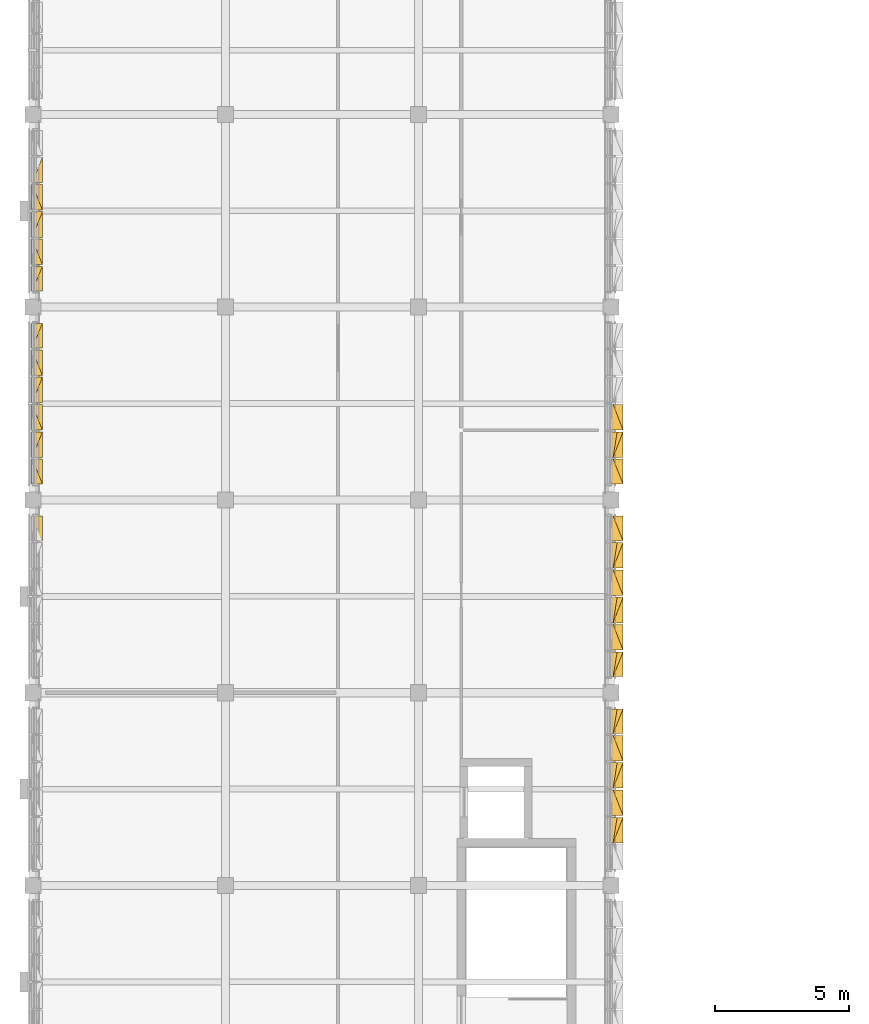
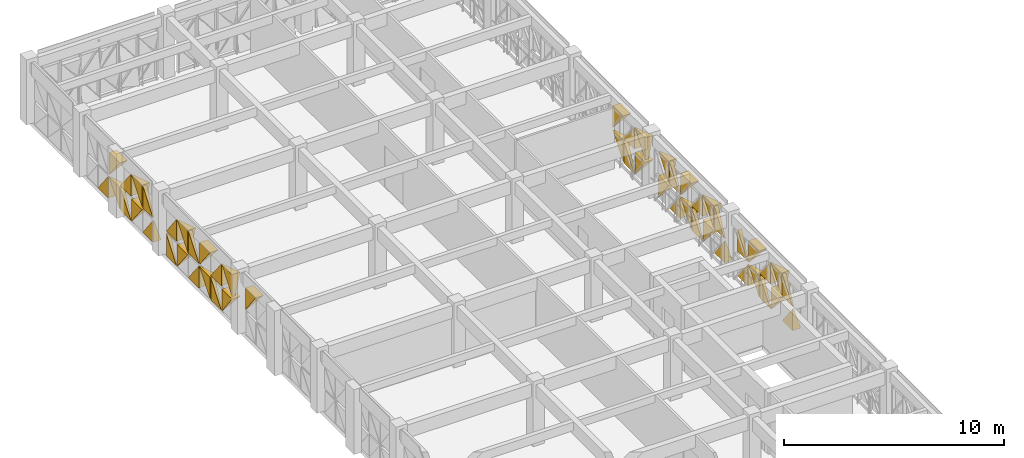
# One storey, part 72 of 74: 50 coverings.
"""IFC4 building model written with IfcOpenShell, lengths in metres."""

from ifc_helpers import new_model, si_unit, direction, frame, origin, place, context, subcontext, project, spatial, polygons, material, layer, layer_set, type_object, element, save


model = new_model("IFC4")

# Units and contexts
model_context = context("Model", 3, precision=1e-05, world=origin(), true_north=direction((0.0, 1.0)))
body_context = subcontext(model_context, "Body", "Model", "MODEL_VIEW")
ifc_project = project(units=[si_unit("LENGTHUNIT", "METRE"), si_unit("AREAUNIT", "SQUARE_METRE"), si_unit("VOLUMEUNIT", "CUBIC_METRE"), si_unit("PLANEANGLEUNIT", "RADIAN"), si_unit("MASSUNIT", "GRAM", prefix="KILO")], contexts=[model_context])

# Site, building, storey
site_placement = place(None, origin())
site = spatial("IfcSite", under=ifc_project, at=site_placement, CompositionType="ELEMENT")
building_placement = place(site_placement, origin())
building = spatial("IfcBuilding", under=site, at=building_placement, Name="Alvorim Cloister Faculty of Sciences", CompositionType="ELEMENT")
storey_placement = place(building_placement, frame((0.0, 0.0, 15.75)))
storey = spatial("IfcBuildingStorey", under=building, at=storey_placement, Name="L04", CompositionType="ELEMENT", Elevation=15.75)

# Coverings
ifc_material = material(Name="Perforated Bronze Alloy Sheet", Category="metal")
ifc_layer = layer(ifc_material, 0.0380859375)
ifc_layer_set = layer_set([ifc_layer], Name="Perforated Bronze Alloy Sheet")
covering_type = type_object("IfcCoveringType", Name="COV-TRI-BRZ", PredefinedType="CLADDING", material=ifc_layer_set)
covering_1_placement = place(storey_placement, frame((-0.044921875, 90.87255859375, 1.4951171875), z_axis=(0.0, 0.0, 1.0), x_axis=(0.0, 1.0, 0.0)))
element("IfcCovering", 1, at=covering_1_placement, inside=storey, type_object=covering_type, Name="Diagonal Solid Metal Triangle TRI-TR", PredefinedType="CLADDING", context=body_context, shape_type="Tessellation", body=[
    polygons([(0.922607421875, 0.0260009765625, 0.002), (0.922607421875, 0.0260009765625, 1.21484375), (0.002, 0.0260009765625, 1.21484375), (0.922607421875, -0.03, 0.002), (0.922607421875, -0.4, 1.21484375), (0.002, -0.4, 1.21484375)], [[[1, 3, 2]], [[4, 5, 6]], [[1, 2, 5, 4]], [[2, 3, 6, 5]], [[3, 1, 4, 6]]], closed=True),
])
covering_2_placement = place(storey_placement, frame((-0.044921875, 93.0048828125, 0.139892578125), z_axis=(0.0, 0.0, 1.0), x_axis=(0.0, 1.0, 0.0)))
element("IfcCovering", 2, at=covering_2_placement, inside=storey, type_object=covering_type, Name="Diagonal Solid Metal Triangle TRI-TR", PredefinedType="CLADDING", context=body_context, shape_type="Tessellation", body=[
    polygons([(0.922607421875, 0.0260009765625, 0.002), (0.922607421875, 0.0260009765625, 1.215087890625), (0.002, 0.0260009765625, 1.215087890625), (0.922607421875, -0.03, 0.002), (0.922607421875, -0.4, 1.215087890625), (0.002, -0.4, 1.215087890625)], [[[1, 3, 2]], [[4, 5, 6]], [[1, 2, 5, 4]], [[2, 3, 6, 5]], [[3, 1, 4, 6]]], closed=True),
])
covering_3_placement = place(storey_placement, frame((-0.044921875, 93.0048828125, 1.4951171875), z_axis=(0.0, 0.0, 1.0), x_axis=(0.0, 1.0, 0.0)))
element("IfcCovering", 3, at=covering_3_placement, inside=storey, type_object=covering_type, Name="Diagonal Solid Metal Triangle TRI-TL", PredefinedType="CLADDING", context=body_context, shape_type="Tessellation", body=[
    polygons([(0.920607421875, 0.0260009765625, 1.21484375), (0.0, 0.0260009765625, 1.21484375), (0.0, 0.0260009765625, 0.002), (0.920607421875, -0.03, 1.21484375), (0.0, -0.4, 1.21484375), (0.0, -0.13999999999999999, 0.002)], [[[1, 3, 2]], [[4, 5, 6]], [[1, 2, 5, 4]], [[2, 3, 6, 5]], [[3, 1, 4, 6]]], closed=True),
])
covering_4_placement = place(storey_placement, frame((-0.044921875, 93.992431640625, 0.139892578125), z_axis=(0.0, 0.0, 1.0), x_axis=(0.0, 1.0, 0.0)))
element("IfcCovering", 4, at=covering_4_placement, inside=storey, type_object=covering_type, Name="Diagonal Solid Metal Triangle TRI-BR", PredefinedType="CLADDING", context=body_context, shape_type="Tessellation", body=[
    polygons([(0.002, 0.0260009765625, 0.0), (0.955078125, 0.0260009765625, 0.0), (0.955078125, 0.0260009765625, 1.213087890625), (0.002, -0.03, 0.0), (0.955078125, -0.4, 0.0), (0.955078125, -0.18000000000000002, 1.213087890625)], [[[1, 3, 2]], [[4, 5, 6]], [[1, 2, 5, 4]], [[2, 3, 6, 5]], [[3, 1, 4, 6]]], closed=True),
])
covering_5_placement = place(storey_placement, frame((-0.044921875, 93.992431640625, 1.4951171875), z_axis=(0.0, 0.0, 1.0), x_axis=(0.0, 1.0, 0.0)))
element("IfcCovering", 5, at=covering_5_placement, inside=storey, type_object=covering_type, Name="Diagonal Solid Metal Triangle TRI-BL", PredefinedType="CLADDING", context=body_context, shape_type="Tessellation", body=[
    polygons([(0.0, 0.0260009765625, 0.0), (0.953078125, 0.0260009765625, 0.0), (0.0, 0.0260009765625, 1.21284375), (0.0, -0.4, 0.0), (0.953078125, -0.4, 0.0), (0.0, -0.03, 1.21284375)], [[[1, 3, 2]], [[4, 5, 6]], [[1, 2, 5, 4]], [[2, 3, 6, 5]], [[3, 1, 4, 6]]], closed=True),
])
covering_6_placement = place(storey_placement, frame((-0.044921875, 95.012451171875, 0.139892578125), z_axis=(0.0, 0.0, 1.0), x_axis=(0.0, 1.0, 0.0)))
element("IfcCovering", 6, at=covering_6_placement, inside=storey, type_object=covering_type, Name="Diagonal Solid Metal Triangle TRI-TL", PredefinedType="CLADDING", context=body_context, shape_type="Tessellation", body=[
    polygons([(0.953078125, 0.0260009765625, 1.215087890625), (0.0, 0.0260009765625, 1.215087890625), (0.0, 0.0260009765625, 0.002), (0.953078125, -0.03, 1.215087890625), (0.0, -0.4, 1.215087890625), (0.0, -0.13999999999999999, 0.002)], [[[1, 3, 2]], [[4, 5, 6]], [[1, 2, 5, 4]], [[2, 3, 6, 5]], [[3, 1, 4, 6]]], closed=True),
])
covering_7_placement = place(storey_placement, frame((-0.044921875, 95.012451171875, 1.4951171875), z_axis=(0.0, 0.0, 1.0), x_axis=(0.0, 1.0, 0.0)))
element("IfcCovering", 7, at=covering_7_placement, inside=storey, type_object=covering_type, Name="Diagonal Solid Metal Triangle TRI-TR", PredefinedType="CLADDING", context=body_context, shape_type="Tessellation", body=[
    polygons([(0.955078125, 0.0260009765625, 0.002), (0.955078125, 0.0260009765625, 1.21484375), (0.002, 0.0260009765625, 1.21484375), (0.955078125, -0.03, 0.002), (0.955078125, -0.4, 1.21484375), (0.002, -0.4, 1.21484375)], [[[1, 3, 2]], [[4, 5, 6]], [[1, 2, 5, 4]], [[2, 3, 6, 5]], [[3, 1, 4, 6]]], closed=True),
])
covering_8_placement = place(storey_placement, frame((-0.044921875, 96.032470703125, 0.139892578125), z_axis=(0.0, 0.0, 1.0), x_axis=(0.0, 1.0, 0.0)))
element("IfcCovering", 8, at=covering_8_placement, inside=storey, type_object=covering_type, Name="Diagonal Solid Metal Triangle TRI-BL", PredefinedType="CLADDING", context=body_context, shape_type="Tessellation", body=[
    polygons([(0.0, 0.0260009765625, 0.0), (0.953078125, 0.0260009765625, 0.0), (0.0, 0.0260009765625, 1.213087890625), (0.0, -0.4, 0.0), (0.953078125, -0.4, 0.0), (0.0, -0.03, 1.213087890625)], [[[1, 3, 2]], [[4, 5, 6]], [[1, 2, 5, 4]], [[2, 3, 6, 5]], [[3, 1, 4, 6]]], closed=True),
])
covering_9_placement = place(storey_placement, frame((-0.044921875, 96.032470703125, 1.4951171875), z_axis=(0.0, 0.0, 1.0), x_axis=(0.0, 1.0, 0.0)))
element("IfcCovering", 9, at=covering_9_placement, inside=storey, type_object=covering_type, Name="Diagonal Solid Metal Triangle TRI-BR", PredefinedType="CLADDING", context=body_context, shape_type="Tessellation", body=[
    polygons([(0.002, 0.0260009765625, 0.0), (0.955078125, 0.0260009765625, 0.0), (0.955078125, 0.0260009765625, 1.21284375), (0.002, -0.03, 0.0), (0.955078125, -0.4, 0.0), (0.955078125, -0.18000000000000002, 1.21284375)], [[[1, 3, 2]], [[4, 5, 6]], [[1, 2, 5, 4]], [[2, 3, 6, 5]], [[3, 1, 4, 6]]], closed=True),
])
covering_10_placement = place(storey_placement, frame((-0.044921875, 97.052490234375, 0.139892578125), z_axis=(0.0, 0.0, 1.0), x_axis=(0.0, 1.0, 0.0)))
element("IfcCovering", 10, at=covering_10_placement, inside=storey, type_object=covering_type, Name="Diagonal Solid Metal Triangle TRI-TR", PredefinedType="CLADDING", context=body_context, shape_type="Tessellation", body=[
    polygons([(0.955078125, 0.0260009765625, 0.002), (0.955078125, 0.0260009765625, 1.215087890625), (0.002, 0.0260009765625, 1.215087890625), (0.955078125, -0.03, 0.002), (0.955078125, -0.4, 1.215087890625), (0.002, -0.4, 1.215087890625)], [[[1, 3, 2]], [[4, 5, 6]], [[1, 2, 5, 4]], [[2, 3, 6, 5]], [[3, 1, 4, 6]]], closed=True),
])
covering_11_placement = place(storey_placement, frame((-0.044921875, 97.052490234375, 1.4951171875), z_axis=(0.0, 0.0, 1.0), x_axis=(0.0, 1.0, 0.0)))
element("IfcCovering", 11, at=covering_11_placement, inside=storey, type_object=covering_type, Name="Diagonal Solid Metal Triangle TRI-TL", PredefinedType="CLADDING", context=body_context, shape_type="Tessellation", body=[
    polygons([(0.953078125, 0.0260009765625, 1.21484375), (0.0, 0.0260009765625, 1.21484375), (0.0, 0.0260009765625, 0.002), (0.953078125, -0.03, 1.21484375), (0.0, -0.4, 1.21484375), (0.0, -0.13999999999999999, 0.002)], [[[1, 3, 2]], [[4, 5, 6]], [[1, 2, 5, 4]], [[2, 3, 6, 5]], [[3, 1, 4, 6]]], closed=True),
])
covering_12_placement = place(storey_placement, frame((-0.044921875, 98.072509765625, 0.139892578125), z_axis=(0.0, 0.0, 1.0), x_axis=(0.0, 1.0, 0.0)))
element("IfcCovering", 12, at=covering_12_placement, inside=storey, type_object=covering_type, Name="Diagonal Solid Metal Triangle TRI-BR", PredefinedType="CLADDING", context=body_context, shape_type="Tessellation", body=[
    polygons([(0.002, 0.0260009765625, 0.0), (0.922607421875, 0.0260009765625, 0.0), (0.922607421875, 0.0260009765625, 1.213087890625), (0.002, -0.03, 0.0), (0.922607421875, -0.4, 0.0), (0.922607421875, -0.18000000000000002, 1.213087890625)], [[[1, 3, 2]], [[4, 5, 6]], [[1, 2, 5, 4]], [[2, 3, 6, 5]], [[3, 1, 4, 6]]], closed=True),
])
covering_13_placement = place(storey_placement, frame((-0.044921875, 98.072509765625, 1.4951171875), z_axis=(0.0, 0.0, 1.0), x_axis=(0.0, 1.0, 0.0)))
element("IfcCovering", 13, at=covering_13_placement, inside=storey, type_object=covering_type, Name="Diagonal Solid Metal Triangle TRI-BL", PredefinedType="CLADDING", context=body_context, shape_type="Tessellation", body=[
    polygons([(0.0, 0.0260009765625, 0.0), (0.920607421875, 0.0260009765625, 0.0), (0.0, 0.0260009765625, 1.21284375), (0.0, -0.4, 0.0), (0.920607421875, -0.4, 0.0), (0.0, -0.03, 1.21284375)], [[[1, 3, 2]], [[4, 5, 6]], [[1, 2, 5, 4]], [[2, 3, 6, 5]], [[3, 1, 4, 6]]], closed=True),
])
covering_14_placement = place(storey_placement, frame((-0.044921875, 100.205078125, 0.139892578125), z_axis=(0.0, 0.0, 1.0), x_axis=(0.0, 1.0, 0.0)))
element("IfcCovering", 14, at=covering_14_placement, inside=storey, type_object=covering_type, Name="Diagonal Solid Metal Triangle TRI-BL", PredefinedType="CLADDING", context=body_context, shape_type="Tessellation", body=[
    polygons([(0.0, 0.0260009765625, 0.0), (0.920607421875, 0.0260009765625, 0.0), (0.0, 0.0260009765625, 1.213087890625), (0.0, -0.4, 0.0), (0.920607421875, -0.4, 0.0), (0.0, -0.03, 1.213087890625)], [[[1, 3, 2]], [[4, 5, 6]], [[1, 2, 5, 4]], [[2, 3, 6, 5]], [[3, 1, 4, 6]]], closed=True),
])
covering_15_placement = place(storey_placement, frame((-0.044921875, 100.205078125, 1.4951171875), z_axis=(0.0, 0.0, 1.0), x_axis=(0.0, 1.0, 0.0)))
element("IfcCovering", 15, at=covering_15_placement, inside=storey, type_object=covering_type, Name="Diagonal Solid Metal Triangle TRI-BR", PredefinedType="CLADDING", context=body_context, shape_type="Tessellation", body=[
    polygons([(0.002, 0.0260009765625, 0.0), (0.922607421875, 0.0260009765625, 0.0), (0.922607421875, 0.0260009765625, 1.21284375), (0.002, -0.03, 0.0), (0.922607421875, -0.4, 0.0), (0.922607421875, -0.18000000000000002, 1.21284375)], [[[1, 3, 2]], [[4, 5, 6]], [[1, 2, 5, 4]], [[2, 3, 6, 5]], [[3, 1, 4, 6]]], closed=True),
])
covering_16_placement = place(storey_placement, frame((-0.044921875, 101.1923828125, 0.139892578125), z_axis=(0.0, 0.0, 1.0), x_axis=(0.0, 1.0, 0.0)))
element("IfcCovering", 16, at=covering_16_placement, inside=storey, type_object=covering_type, Name="Diagonal Solid Metal Triangle TRI-TR", PredefinedType="CLADDING", context=body_context, shape_type="Tessellation", body=[
    polygons([(0.955078125, 0.0260009765625, 0.002), (0.955078125, 0.0260009765625, 1.215087890625), (0.002, 0.0260009765625, 1.215087890625), (0.955078125, -0.03, 0.002), (0.955078125, -0.4, 1.215087890625), (0.002, -0.4, 1.215087890625)], [[[1, 3, 2]], [[4, 5, 6]], [[1, 2, 5, 4]], [[2, 3, 6, 5]], [[3, 1, 4, 6]]], closed=True),
])
covering_17_placement = place(storey_placement, frame((-0.044921875, 101.1923828125, 1.4951171875), z_axis=(0.0, 0.0, 1.0), x_axis=(0.0, 1.0, 0.0)))
element("IfcCovering", 17, at=covering_17_placement, inside=storey, type_object=covering_type, Name="Diagonal Solid Metal Triangle TRI-TL", PredefinedType="CLADDING", context=body_context, shape_type="Tessellation", body=[
    polygons([(0.953078125, 0.0260009765625, 1.21484375), (0.0, 0.0260009765625, 1.21484375), (0.0, 0.0260009765625, 0.002), (0.953078125, -0.03, 1.21484375), (0.0, -0.4, 1.21484375), (0.0, -0.13999999999999999, 0.002)], [[[1, 3, 2]], [[4, 5, 6]], [[1, 2, 5, 4]], [[2, 3, 6, 5]], [[3, 1, 4, 6]]], closed=True),
])
covering_18_placement = place(storey_placement, frame((-0.044921875, 102.21240234375, 0.139892578125), z_axis=(0.0, 0.0, 1.0), x_axis=(0.0, 1.0, 0.0)))
element("IfcCovering", 18, at=covering_18_placement, inside=storey, type_object=covering_type, Name="Diagonal Solid Metal Triangle TRI-BR", PredefinedType="CLADDING", context=body_context, shape_type="Tessellation", body=[
    polygons([(0.002, 0.0260009765625, 0.0), (0.955078125, 0.0260009765625, 0.0), (0.955078125, 0.0260009765625, 1.213087890625), (0.002, -0.03, 0.0), (0.955078125, -0.4, 0.0), (0.955078125, -0.18000000000000002, 1.213087890625)], [[[1, 3, 2]], [[4, 5, 6]], [[1, 2, 5, 4]], [[2, 3, 6, 5]], [[3, 1, 4, 6]]], closed=True),
])
covering_19_placement = place(storey_placement, frame((-0.044921875, 102.21240234375, 1.4951171875), z_axis=(0.0, 0.0, 1.0), x_axis=(0.0, 1.0, 0.0)))
element("IfcCovering", 19, at=covering_19_placement, inside=storey, type_object=covering_type, Name="Diagonal Solid Metal Triangle TRI-BL", PredefinedType="CLADDING", context=body_context, shape_type="Tessellation", body=[
    polygons([(0.0, 0.0260009765625, 0.0), (0.953078125, 0.0260009765625, 0.0), (0.0, 0.0260009765625, 1.21284375), (0.0, -0.4, 0.0), (0.953078125, -0.4, 0.0), (0.0, -0.03, 1.21284375)], [[[1, 3, 2]], [[4, 5, 6]], [[1, 2, 5, 4]], [[2, 3, 6, 5]], [[3, 1, 4, 6]]], closed=True),
])
covering_20_placement = place(storey_placement, frame((-0.044921875, 103.232421875, 0.139892578125), z_axis=(0.0, 0.0, 1.0), x_axis=(0.0, 1.0, 0.0)))
element("IfcCovering", 20, at=covering_20_placement, inside=storey, type_object=covering_type, Name="Diagonal Solid Metal Triangle TRI-TL", PredefinedType="CLADDING", context=body_context, shape_type="Tessellation", body=[
    polygons([(0.953078125, 0.0260009765625, 1.215087890625), (0.0, 0.0260009765625, 1.215087890625), (0.0, 0.0260009765625, 0.002), (0.953078125, -0.03, 1.215087890625), (0.0, -0.4, 1.215087890625), (0.0, -0.13999999999999999, 0.002)], [[[1, 3, 2]], [[4, 5, 6]], [[1, 2, 5, 4]], [[2, 3, 6, 5]], [[3, 1, 4, 6]]], closed=True),
])
covering_21_placement = place(storey_placement, frame((-0.044921875, 103.232421875, 1.4951171875), z_axis=(0.0, 0.0, 1.0), x_axis=(0.0, 1.0, 0.0)))
element("IfcCovering", 21, at=covering_21_placement, inside=storey, type_object=covering_type, Name="Diagonal Solid Metal Triangle TRI-TR", PredefinedType="CLADDING", context=body_context, shape_type="Tessellation", body=[
    polygons([(0.955078125, 0.0260009765625, 0.002), (0.955078125, 0.0260009765625, 1.21484375), (0.002, 0.0260009765625, 1.21484375), (0.955078125, -0.03, 0.002), (0.955078125, -0.4, 1.21484375), (0.002, -0.4, 1.21484375)], [[[1, 3, 2]], [[4, 5, 6]], [[1, 2, 5, 4]], [[2, 3, 6, 5]], [[3, 1, 4, 6]]], closed=True),
])
covering_22_placement = place(storey_placement, frame((-0.044921875, 104.25244140625, 0.139892578125), z_axis=(0.0, 0.0, 1.0), x_axis=(0.0, 1.0, 0.0)))
element("IfcCovering", 22, at=covering_22_placement, inside=storey, type_object=covering_type, Name="Diagonal Solid Metal Triangle TRI-BL", PredefinedType="CLADDING", context=body_context, shape_type="Tessellation", body=[
    polygons([(0.0, 0.0260009765625, 0.0), (0.953078125, 0.0260009765625, 0.0), (0.0, 0.0260009765625, 1.213087890625), (0.0, -0.4, 0.0), (0.953078125, -0.4, 0.0), (0.0, -0.03, 1.213087890625)], [[[1, 3, 2]], [[4, 5, 6]], [[1, 2, 5, 4]], [[2, 3, 6, 5]], [[3, 1, 4, 6]]], closed=True),
])
covering_23_placement = place(storey_placement, frame((21.64501953125, 93.0048828125, 0.139892578125), z_axis=(0.0, 0.0, 1.0), x_axis=(0.0, 1.0, 0.0)))
element("IfcCovering", 23, at=covering_23_placement, inside=storey, type_object=covering_type, Name="Diagonal Solid Metal Triangle TRI-TR", PredefinedType="CLADDING", context=body_context, shape_type="Tessellation", body=[
    polygons([(0.922607421875, 0.0260009765625, 0.002), (0.922607421875, 0.0260009765625, 1.215087890625), (0.002, 0.0260009765625, 1.215087890625), (0.922607421875, -0.03, 0.002), (0.922607421875, -0.4, 1.215087890625), (0.002, -0.4, 1.215087890625)], [[[1, 3, 2]], [[4, 5, 6]], [[1, 2, 5, 4]], [[2, 3, 6, 5]], [[3, 1, 4, 6]]], closed=True),
])
covering_24_placement = place(storey_placement, frame((21.64501953125, 93.0048828125, 1.4951171875), z_axis=(0.0, 0.0, 1.0), x_axis=(0.0, 1.0, 0.0)))
element("IfcCovering", 24, at=covering_24_placement, inside=storey, type_object=covering_type, Name="Diagonal Solid Metal Triangle TRI-TL", PredefinedType="CLADDING", context=body_context, shape_type="Tessellation", body=[
    polygons([(0.920607421875, 0.0260009765625, 1.21484375), (0.0, 0.0260009765625, 1.21484375), (0.0, 0.0260009765625, 0.002), (0.920607421875, -0.03, 1.21484375), (0.0, -0.4, 1.21484375), (0.0, -0.13999999999999999, 0.002)], [[[1, 3, 2]], [[4, 5, 6]], [[1, 2, 5, 4]], [[2, 3, 6, 5]], [[3, 1, 4, 6]]], closed=True),
])
covering_25_placement = place(storey_placement, frame((21.64501953125, 93.992431640625, 0.139892578125), z_axis=(0.0, 0.0, 1.0), x_axis=(0.0, 1.0, 0.0)))
element("IfcCovering", 25, at=covering_25_placement, inside=storey, type_object=covering_type, Name="Diagonal Solid Metal Triangle TRI-BR", PredefinedType="CLADDING", context=body_context, shape_type="Tessellation", body=[
    polygons([(0.002, 0.0260009765625, 0.0), (0.955078125, 0.0260009765625, 0.0), (0.955078125, 0.0260009765625, 1.213087890625), (0.002, -0.03, 0.0), (0.955078125, -0.4, 0.0), (0.955078125, -0.18000000000000002, 1.213087890625)], [[[1, 3, 2]], [[4, 5, 6]], [[1, 2, 5, 4]], [[2, 3, 6, 5]], [[3, 1, 4, 6]]], closed=True),
])
covering_26_placement = place(storey_placement, frame((21.64501953125, 93.992431640625, 1.4951171875), z_axis=(0.0, 0.0, 1.0), x_axis=(0.0, 1.0, 0.0)))
element("IfcCovering", 26, at=covering_26_placement, inside=storey, type_object=covering_type, Name="Diagonal Solid Metal Triangle TRI-BL", PredefinedType="CLADDING", context=body_context, shape_type="Tessellation", body=[
    polygons([(0.0, 0.0260009765625, 0.0), (0.953078125, 0.0260009765625, 0.0), (0.0, 0.0260009765625, 1.21284375), (0.0, -0.4, 0.0), (0.953078125, -0.4, 0.0), (0.0, -0.03, 1.21284375)], [[[1, 3, 2]], [[4, 5, 6]], [[1, 2, 5, 4]], [[2, 3, 6, 5]], [[3, 1, 4, 6]]], closed=True),
])
covering_27_placement = place(storey_placement, frame((21.64501953125, 95.012451171875, 0.139892578125), z_axis=(0.0, 0.0, 1.0), x_axis=(0.0, 1.0, 0.0)))
element("IfcCovering", 27, at=covering_27_placement, inside=storey, type_object=covering_type, Name="Diagonal Solid Metal Triangle TRI-TL", PredefinedType="CLADDING", context=body_context, shape_type="Tessellation", body=[
    polygons([(0.953078125, 0.0260009765625, 1.215087890625), (0.0, 0.0260009765625, 1.215087890625), (0.0, 0.0260009765625, 0.002), (0.953078125, -0.03, 1.215087890625), (0.0, -0.4, 1.215087890625), (0.0, -0.13999999999999999, 0.002)], [[[1, 3, 2]], [[4, 5, 6]], [[1, 2, 5, 4]], [[2, 3, 6, 5]], [[3, 1, 4, 6]]], closed=True),
])
covering_28_placement = place(storey_placement, frame((21.64501953125, 95.012451171875, 1.4951171875), z_axis=(0.0, 0.0, 1.0), x_axis=(0.0, 1.0, 0.0)))
element("IfcCovering", 28, at=covering_28_placement, inside=storey, type_object=covering_type, Name="Diagonal Solid Metal Triangle TRI-TR", PredefinedType="CLADDING", context=body_context, shape_type="Tessellation", body=[
    polygons([(0.955078125, 0.0260009765625, 0.002), (0.955078125, 0.0260009765625, 1.21484375), (0.002, 0.0260009765625, 1.21484375), (0.955078125, -0.03, 0.002), (0.955078125, -0.4, 1.21484375), (0.002, -0.4, 1.21484375)], [[[1, 3, 2]], [[4, 5, 6]], [[1, 2, 5, 4]], [[2, 3, 6, 5]], [[3, 1, 4, 6]]], closed=True),
])
covering_29_placement = place(storey_placement, frame((21.64501953125, 85.804931640625, 0.139892578125), z_axis=(0.0, 0.0, 1.0), x_axis=(0.0, 1.0, 0.0)))
element("IfcCovering", 29, at=covering_29_placement, inside=storey, type_object=covering_type, Name="Diagonal Solid Metal Triangle TRI-BL", PredefinedType="CLADDING", context=body_context, shape_type="Tessellation", body=[
    polygons([(0.0, 0.0260009765625, 0.0), (0.920607421875, 0.0260009765625, 0.0), (0.0, 0.0260009765625, 1.213087890625), (0.0, -0.4, 0.0), (0.920607421875, -0.4, 0.0), (0.0, -0.03, 1.213087890625)], [[[1, 3, 2]], [[4, 5, 6]], [[1, 2, 5, 4]], [[2, 3, 6, 5]], [[3, 1, 4, 6]]], closed=True),
])
covering_30_placement = place(storey_placement, frame((21.64501953125, 85.804931640625, 1.4951171875), z_axis=(0.0, 0.0, 1.0), x_axis=(0.0, 1.0, 0.0)))
element("IfcCovering", 30, at=covering_30_placement, inside=storey, type_object=covering_type, Name="Diagonal Solid Metal Triangle TRI-BR", PredefinedType="CLADDING", context=body_context, shape_type="Tessellation", body=[
    polygons([(0.002, 0.0260009765625, 0.0), (0.922607421875, 0.0260009765625, 0.0), (0.922607421875, 0.0260009765625, 1.21284375), (0.002, -0.03, 0.0), (0.922607421875, -0.4, 0.0), (0.922607421875, -0.18000000000000002, 1.21284375)], [[[1, 3, 2]], [[4, 5, 6]], [[1, 2, 5, 4]], [[2, 3, 6, 5]], [[3, 1, 4, 6]]], closed=True),
])
covering_31_placement = place(storey_placement, frame((21.64501953125, 86.79248046875, 0.139892578125), z_axis=(0.0, 0.0, 1.0), x_axis=(0.0, 1.0, 0.0)))
element("IfcCovering", 31, at=covering_31_placement, inside=storey, type_object=covering_type, Name="Diagonal Solid Metal Triangle TRI-TR", PredefinedType="CLADDING", context=body_context, shape_type="Tessellation", body=[
    polygons([(0.955078125, 0.0260009765625, 0.002), (0.955078125, 0.0260009765625, 1.215087890625), (0.002, 0.0260009765625, 1.215087890625), (0.955078125, -0.03, 0.002), (0.955078125, -0.4, 1.215087890625), (0.002, -0.4, 1.215087890625)], [[[1, 3, 2]], [[4, 5, 6]], [[1, 2, 5, 4]], [[2, 3, 6, 5]], [[3, 1, 4, 6]]], closed=True),
])
covering_32_placement = place(storey_placement, frame((21.64501953125, 86.79248046875, 1.4951171875), z_axis=(0.0, 0.0, 1.0), x_axis=(0.0, 1.0, 0.0)))
element("IfcCovering", 32, at=covering_32_placement, inside=storey, type_object=covering_type, Name="Diagonal Solid Metal Triangle TRI-TL", PredefinedType="CLADDING", context=body_context, shape_type="Tessellation", body=[
    polygons([(0.953078125, 0.0260009765625, 1.21484375), (0.0, 0.0260009765625, 1.21484375), (0.0, 0.0260009765625, 0.002), (0.953078125, -0.03, 1.21484375), (0.0, -0.4, 1.21484375), (0.0, -0.13999999999999999, 0.002)], [[[1, 3, 2]], [[4, 5, 6]], [[1, 2, 5, 4]], [[2, 3, 6, 5]], [[3, 1, 4, 6]]], closed=True),
])
covering_33_placement = place(storey_placement, frame((21.64501953125, 87.8125, 0.139892578125), z_axis=(0.0, 0.0, 1.0), x_axis=(0.0, 1.0, 0.0)))
element("IfcCovering", 33, at=covering_33_placement, inside=storey, type_object=covering_type, Name="Diagonal Solid Metal Triangle TRI-BR", PredefinedType="CLADDING", context=body_context, shape_type="Tessellation", body=[
    polygons([(0.002, 0.0260009765625, 0.0), (0.955078125, 0.0260009765625, 0.0), (0.955078125, 0.0260009765625, 1.213087890625), (0.002, -0.03, 0.0), (0.955078125, -0.4, 0.0), (0.955078125, -0.18000000000000002, 1.213087890625)], [[[1, 3, 2]], [[4, 5, 6]], [[1, 2, 5, 4]], [[2, 3, 6, 5]], [[3, 1, 4, 6]]], closed=True),
])
covering_34_placement = place(storey_placement, frame((21.64501953125, 87.8125, 1.4951171875), z_axis=(0.0, 0.0, 1.0), x_axis=(0.0, 1.0, 0.0)))
element("IfcCovering", 34, at=covering_34_placement, inside=storey, type_object=covering_type, Name="Diagonal Solid Metal Triangle TRI-BL", PredefinedType="CLADDING", context=body_context, shape_type="Tessellation", body=[
    polygons([(0.0, 0.0260009765625, 0.0), (0.953078125, 0.0260009765625, 0.0), (0.0, 0.0260009765625, 1.21284375), (0.0, -0.4, 0.0), (0.953078125, -0.4, 0.0), (0.0, -0.03, 1.21284375)], [[[1, 3, 2]], [[4, 5, 6]], [[1, 2, 5, 4]], [[2, 3, 6, 5]], [[3, 1, 4, 6]]], closed=True),
])
covering_35_placement = place(storey_placement, frame((21.64501953125, 88.83251953125, 0.139892578125), z_axis=(0.0, 0.0, 1.0), x_axis=(0.0, 1.0, 0.0)))
element("IfcCovering", 35, at=covering_35_placement, inside=storey, type_object=covering_type, Name="Diagonal Solid Metal Triangle TRI-TL", PredefinedType="CLADDING", context=body_context, shape_type="Tessellation", body=[
    polygons([(0.953078125, 0.0260009765625, 1.215087890625), (0.0, 0.0260009765625, 1.215087890625), (0.0, 0.0260009765625, 0.002), (0.953078125, -0.03, 1.215087890625), (0.0, -0.4, 1.215087890625), (0.0, -0.13999999999999999, 0.002)], [[[1, 3, 2]], [[4, 5, 6]], [[1, 2, 5, 4]], [[2, 3, 6, 5]], [[3, 1, 4, 6]]], closed=True),
])
covering_36_placement = place(storey_placement, frame((21.64501953125, 88.83251953125, 1.4951171875), z_axis=(0.0, 0.0, 1.0), x_axis=(0.0, 1.0, 0.0)))
element("IfcCovering", 36, at=covering_36_placement, inside=storey, type_object=covering_type, Name="Diagonal Solid Metal Triangle TRI-TR", PredefinedType="CLADDING", context=body_context, shape_type="Tessellation", body=[
    polygons([(0.955078125, 0.0260009765625, 0.002), (0.955078125, 0.0260009765625, 1.21484375), (0.002, 0.0260009765625, 1.21484375), (0.955078125, -0.03, 0.002), (0.955078125, -0.4, 1.21484375), (0.002, -0.4, 1.21484375)], [[[1, 3, 2]], [[4, 5, 6]], [[1, 2, 5, 4]], [[2, 3, 6, 5]], [[3, 1, 4, 6]]], closed=True),
])
covering_37_placement = place(storey_placement, frame((21.64501953125, 89.8525390625, 0.139892578125), z_axis=(0.0, 0.0, 1.0), x_axis=(0.0, 1.0, 0.0)))
element("IfcCovering", 37, at=covering_37_placement, inside=storey, type_object=covering_type, Name="Diagonal Solid Metal Triangle TRI-BL", PredefinedType="CLADDING", context=body_context, shape_type="Tessellation", body=[
    polygons([(0.0, 0.0260009765625, 0.0), (0.953078125, 0.0260009765625, 0.0), (0.0, 0.0260009765625, 1.213087890625), (0.0, -0.4, 0.0), (0.953078125, -0.4, 0.0), (0.0, -0.03, 1.213087890625)], [[[1, 3, 2]], [[4, 5, 6]], [[1, 2, 5, 4]], [[2, 3, 6, 5]], [[3, 1, 4, 6]]], closed=True),
])
covering_38_placement = place(storey_placement, frame((21.64501953125, 89.8525390625, 1.4951171875), z_axis=(0.0, 0.0, 1.0), x_axis=(0.0, 1.0, 0.0)))
element("IfcCovering", 38, at=covering_38_placement, inside=storey, type_object=covering_type, Name="Diagonal Solid Metal Triangle TRI-BR", PredefinedType="CLADDING", context=body_context, shape_type="Tessellation", body=[
    polygons([(0.002, 0.0260009765625, 0.0), (0.955078125, 0.0260009765625, 0.0), (0.955078125, 0.0260009765625, 1.21284375), (0.002, -0.03, 0.0), (0.955078125, -0.4, 0.0), (0.955078125, -0.18000000000000002, 1.21284375)], [[[1, 3, 2]], [[4, 5, 6]], [[1, 2, 5, 4]], [[2, 3, 6, 5]], [[3, 1, 4, 6]]], closed=True),
])
covering_39_placement = place(storey_placement, frame((21.64501953125, 90.87255859375, 0.139892578125), z_axis=(0.0, 0.0, 1.0), x_axis=(0.0, 1.0, 0.0)))
element("IfcCovering", 39, at=covering_39_placement, inside=storey, type_object=covering_type, Name="Diagonal Solid Metal Triangle TRI-TR", PredefinedType="CLADDING", context=body_context, shape_type="Tessellation", body=[
    polygons([(0.922607421875, 0.0260009765625, 0.002), (0.922607421875, 0.0260009765625, 1.215087890625), (0.002, 0.0260009765625, 1.215087890625), (0.922607421875, -0.03, 0.002), (0.922607421875, -0.4, 1.215087890625), (0.002, -0.4, 1.215087890625)], [[[1, 3, 2]], [[4, 5, 6]], [[1, 2, 5, 4]], [[2, 3, 6, 5]], [[3, 1, 4, 6]]], closed=True),
])
covering_40_placement = place(storey_placement, frame((21.64501953125, 90.87255859375, 1.4951171875), z_axis=(0.0, 0.0, 1.0), x_axis=(0.0, 1.0, 0.0)))
element("IfcCovering", 40, at=covering_40_placement, inside=storey, type_object=covering_type, Name="Diagonal Solid Metal Triangle TRI-TL", PredefinedType="CLADDING", context=body_context, shape_type="Tessellation", body=[
    polygons([(0.920607421875, 0.0260009765625, 1.21484375), (0.0, 0.0260009765625, 1.21484375), (0.0, 0.0260009765625, 0.002), (0.920607421875, -0.03, 1.21484375), (0.0, -0.4, 1.21484375), (0.0, -0.13999999999999999, 0.002)], [[[1, 3, 2]], [[4, 5, 6]], [[1, 2, 5, 4]], [[2, 3, 6, 5]], [[3, 1, 4, 6]]], closed=True),
])
covering_41_placement = place(storey_placement, frame((21.64501953125, 79.592529296875, 0.139892578125), z_axis=(0.0, 0.0, 1.0), x_axis=(0.0, 1.0, 0.0)))
element("IfcCovering", 41, at=covering_41_placement, inside=storey, type_object=covering_type, Name="Diagonal Solid Metal Triangle TRI-BL", PredefinedType="CLADDING", context=body_context, shape_type="Tessellation", body=[
    polygons([(0.0, 0.0260009765625, 0.0), (0.953078125, 0.0260009765625, 0.0), (0.0, 0.0260009765625, 1.213087890625), (0.0, -0.4, 0.0), (0.953078125, -0.4, 0.0), (0.0, -0.03, 1.213087890625)], [[[1, 3, 2]], [[4, 5, 6]], [[1, 2, 5, 4]], [[2, 3, 6, 5]], [[3, 1, 4, 6]]], closed=True),
])
covering_42_placement = place(storey_placement, frame((21.64501953125, 79.592529296875, 1.4951171875), z_axis=(0.0, 0.0, 1.0), x_axis=(0.0, 1.0, 0.0)))
element("IfcCovering", 42, at=covering_42_placement, inside=storey, type_object=covering_type, Name="Diagonal Solid Metal Triangle TRI-BR", PredefinedType="CLADDING", context=body_context, shape_type="Tessellation", body=[
    polygons([(0.002, 0.0260009765625, 0.0), (0.955078125, 0.0260009765625, 0.0), (0.955078125, 0.0260009765625, 1.21284375), (0.002, -0.03, 0.0), (0.955078125, -0.4, 0.0), (0.955078125, -0.18000000000000002, 1.21284375)], [[[1, 3, 2]], [[4, 5, 6]], [[1, 2, 5, 4]], [[2, 3, 6, 5]], [[3, 1, 4, 6]]], closed=True),
])
covering_43_placement = place(storey_placement, frame((21.64501953125, 80.612548828125, 0.139892578125), z_axis=(0.0, 0.0, 1.0), x_axis=(0.0, 1.0, 0.0)))
element("IfcCovering", 43, at=covering_43_placement, inside=storey, type_object=covering_type, Name="Diagonal Solid Metal Triangle TRI-TR", PredefinedType="CLADDING", context=body_context, shape_type="Tessellation", body=[
    polygons([(0.955078125, 0.0260009765625, 0.002), (0.955078125, 0.0260009765625, 1.215087890625), (0.002, 0.0260009765625, 1.215087890625), (0.955078125, -0.03, 0.002), (0.955078125, -0.4, 1.215087890625), (0.002, -0.4, 1.215087890625)], [[[1, 3, 2]], [[4, 5, 6]], [[1, 2, 5, 4]], [[2, 3, 6, 5]], [[3, 1, 4, 6]]], closed=True),
])
covering_44_placement = place(storey_placement, frame((21.64501953125, 80.612548828125, 1.4951171875), z_axis=(0.0, 0.0, 1.0), x_axis=(0.0, 1.0, 0.0)))
element("IfcCovering", 44, at=covering_44_placement, inside=storey, type_object=covering_type, Name="Diagonal Solid Metal Triangle TRI-TL", PredefinedType="CLADDING", context=body_context, shape_type="Tessellation", body=[
    polygons([(0.953078125, 0.0260009765625, 1.21484375), (0.0, 0.0260009765625, 1.21484375), (0.0, 0.0260009765625, 0.002), (0.953078125, -0.03, 1.21484375), (0.0, -0.4, 1.21484375), (0.0, -0.13999999999999999, 0.002)], [[[1, 3, 2]], [[4, 5, 6]], [[1, 2, 5, 4]], [[2, 3, 6, 5]], [[3, 1, 4, 6]]], closed=True),
])
covering_45_placement = place(storey_placement, frame((21.64501953125, 81.632568359375, 0.139892578125), z_axis=(0.0, 0.0, 1.0), x_axis=(0.0, 1.0, 0.0)))
element("IfcCovering", 45, at=covering_45_placement, inside=storey, type_object=covering_type, Name="Diagonal Solid Metal Triangle TRI-BR", PredefinedType="CLADDING", context=body_context, shape_type="Tessellation", body=[
    polygons([(0.002, 0.0260009765625, 0.0), (0.955078125, 0.0260009765625, 0.0), (0.955078125, 0.0260009765625, 1.213087890625), (0.002, -0.03, 0.0), (0.955078125, -0.4, 0.0), (0.955078125, -0.18000000000000002, 1.213087890625)], [[[1, 3, 2]], [[4, 5, 6]], [[1, 2, 5, 4]], [[2, 3, 6, 5]], [[3, 1, 4, 6]]], closed=True),
])
covering_46_placement = place(storey_placement, frame((21.64501953125, 81.632568359375, 1.4951171875), z_axis=(0.0, 0.0, 1.0), x_axis=(0.0, 1.0, 0.0)))
element("IfcCovering", 46, at=covering_46_placement, inside=storey, type_object=covering_type, Name="Diagonal Solid Metal Triangle TRI-BL", PredefinedType="CLADDING", context=body_context, shape_type="Tessellation", body=[
    polygons([(0.0, 0.0260009765625, 0.0), (0.953078125, 0.0260009765625, 0.0), (0.0, 0.0260009765625, 1.21284375), (0.0, -0.4, 0.0), (0.953078125, -0.4, 0.0), (0.0, -0.03, 1.21284375)], [[[1, 3, 2]], [[4, 5, 6]], [[1, 2, 5, 4]], [[2, 3, 6, 5]], [[3, 1, 4, 6]]], closed=True),
])
covering_47_placement = place(storey_placement, frame((21.64501953125, 82.652587890625, 0.139892578125), z_axis=(0.0, 0.0, 1.0), x_axis=(0.0, 1.0, 0.0)))
element("IfcCovering", 47, at=covering_47_placement, inside=storey, type_object=covering_type, Name="Diagonal Solid Metal Triangle TRI-TL", PredefinedType="CLADDING", context=body_context, shape_type="Tessellation", body=[
    polygons([(0.953078125, 0.0260009765625, 1.215087890625), (0.0, 0.0260009765625, 1.215087890625), (0.0, 0.0260009765625, 0.002), (0.953078125, -0.03, 1.215087890625), (0.0, -0.4, 1.215087890625), (0.0, -0.13999999999999999, 0.002)], [[[1, 3, 2]], [[4, 5, 6]], [[1, 2, 5, 4]], [[2, 3, 6, 5]], [[3, 1, 4, 6]]], closed=True),
])
covering_48_placement = place(storey_placement, frame((21.64501953125, 82.652587890625, 1.4951171875), z_axis=(0.0, 0.0, 1.0), x_axis=(0.0, 1.0, 0.0)))
element("IfcCovering", 48, at=covering_48_placement, inside=storey, type_object=covering_type, Name="Diagonal Solid Metal Triangle TRI-TR", PredefinedType="CLADDING", context=body_context, shape_type="Tessellation", body=[
    polygons([(0.955078125, 0.0260009765625, 0.002), (0.955078125, 0.0260009765625, 1.21484375), (0.002, 0.0260009765625, 1.21484375), (0.955078125, -0.03, 0.002), (0.955078125, -0.4, 1.21484375), (0.002, -0.4, 1.21484375)], [[[1, 3, 2]], [[4, 5, 6]], [[1, 2, 5, 4]], [[2, 3, 6, 5]], [[3, 1, 4, 6]]], closed=True),
])
covering_49_placement = place(storey_placement, frame((21.64501953125, 83.672607421875, 0.139892578125), z_axis=(0.0, 0.0, 1.0), x_axis=(0.0, 1.0, 0.0)))
element("IfcCovering", 49, at=covering_49_placement, inside=storey, type_object=covering_type, Name="Diagonal Solid Metal Triangle TRI-BL", PredefinedType="CLADDING", context=body_context, shape_type="Tessellation", body=[
    polygons([(0.0, 0.0260009765625, 0.0), (0.920607421875, 0.0260009765625, 0.0), (0.0, 0.0260009765625, 1.213087890625), (0.0, -0.4, 0.0), (0.920607421875, -0.4, 0.0), (0.0, -0.03, 1.213087890625)], [[[1, 3, 2]], [[4, 5, 6]], [[1, 2, 5, 4]], [[2, 3, 6, 5]], [[3, 1, 4, 6]]], closed=True),
])
covering_50_placement = place(storey_placement, frame((21.64501953125, 83.672607421875, 1.4951171875), z_axis=(0.0, 0.0, 1.0), x_axis=(0.0, 1.0, 0.0)))
element("IfcCovering", 50, at=covering_50_placement, inside=storey, type_object=covering_type, Name="Diagonal Solid Metal Triangle TRI-BR", PredefinedType="CLADDING", context=body_context, shape_type="Tessellation", body=[
    polygons([(0.002, 0.0260009765625, 0.0), (0.922607421875, 0.0260009765625, 0.0), (0.922607421875, 0.0260009765625, 1.21284375), (0.002, -0.03, 0.0), (0.922607421875, -0.4, 0.0), (0.922607421875, -0.18000000000000002, 1.21284375)], [[[1, 3, 2]], [[4, 5, 6]], [[1, 2, 5, 4]], [[2, 3, 6, 5]], [[3, 1, 4, 6]]], closed=True),
])

save(model, "model.ifc")
